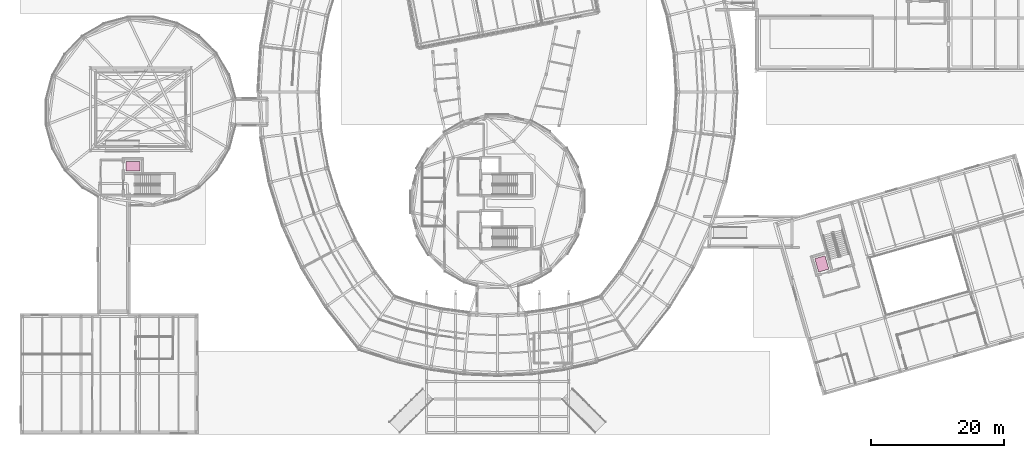
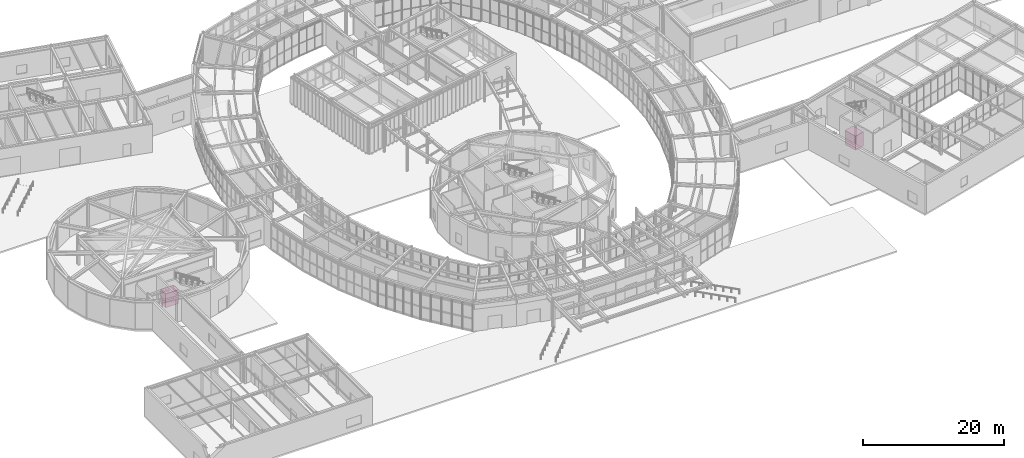
# One storey, part 97 of 97: 2 transport elements.
"""IFC4 building model written with IfcOpenShell, lengths in metres."""

from ifc_helpers import new_model, si_unit, direction, frame, origin, origin_2d, place, context, subcontext, project, spatial, rectangle, extrude, material, type_object, element, save


model = new_model("IFC4")

# Units and contexts
model_context = context("Model", 3, precision=1e-05, world=origin(), true_north=direction((0.0, 1.0)))
body_context = subcontext(model_context, "Body", "Model", "MODEL_VIEW")
ifc_project = project(units=[si_unit("LENGTHUNIT", "METRE"), si_unit("AREAUNIT", "SQUARE_METRE"), si_unit("VOLUMEUNIT", "CUBIC_METRE"), si_unit("PLANEANGLEUNIT", "RADIAN"), si_unit("MASSUNIT", "GRAM", prefix="KILO")], contexts=[model_context])

# Site, building, storey
site_placement = place(None, origin())
site = spatial("IfcSite", under=ifc_project, at=site_placement, CompositionType="ELEMENT")
building_placement = place(site_placement, origin())
building = spatial("IfcBuilding", under=site, at=building_placement, Name="Varnklinge Art Gallery", CompositionType="ELEMENT")
storey_placement = place(building_placement, origin())
storey = spatial("IfcBuildingStorey", under=building, at=storey_placement, Name="L00", CompositionType="ELEMENT", Elevation=0.0)

# Transport elements
ifc_material_1 = material(Name="Anodised Aluminium", Category="aluminium")
transport_element_type_1 = type_object("IfcTransportElementType", Name="LFT-PAX1", PredefinedType="ELEVATOR", material=ifc_material_1)
transport_element_1_placement = place(storey_placement, frame((124.30615234375, 29.104248046875, 0.0), z_axis=(0.0, 0.0, 1.0), x_axis=(-0.275637355817, 0.961261695938, 0.0)))
element("IfcTransportElement", 1, at=transport_element_1_placement, inside=storey, type_object=transport_element_type_1, Name="LF-04", PredefinedType="ELEVATOR", context=body_context, shape_type="SweptSolid", body=[
    extrude(rectangle(XDim=2.10009765625, YDim=1.60009765625, at=origin_2d()), origin(), (0.0, 0.0, 1.0), 2.449951171875),
])
ifc_material_2 = material(Name="Anodised Aluminium", Category="aluminium")
transport_element_type_2 = type_object("IfcTransportElementType", Name="LFT-PAX2", PredefinedType="ELEVATOR", material=ifc_material_2)
transport_element_2_placement = place(storey_placement, frame((20.60009765625, 43.81005859375, 0.0), z_axis=(0.0, 0.0, 1.0), x_axis=(1.0, 0.0, 0.0)))
element("IfcTransportElement", 2, at=transport_element_2_placement, inside=storey, type_object=transport_element_type_2, Name="LF-05", PredefinedType="ELEVATOR", context=body_context, shape_type="SweptSolid", body=[
    extrude(rectangle(XDim=2.10009765625, YDim=1.39990234375, at=origin_2d()), origin(), (0.0, 0.0, 1.0), 2.39990234375),
])

save(model, "model.ifc")
